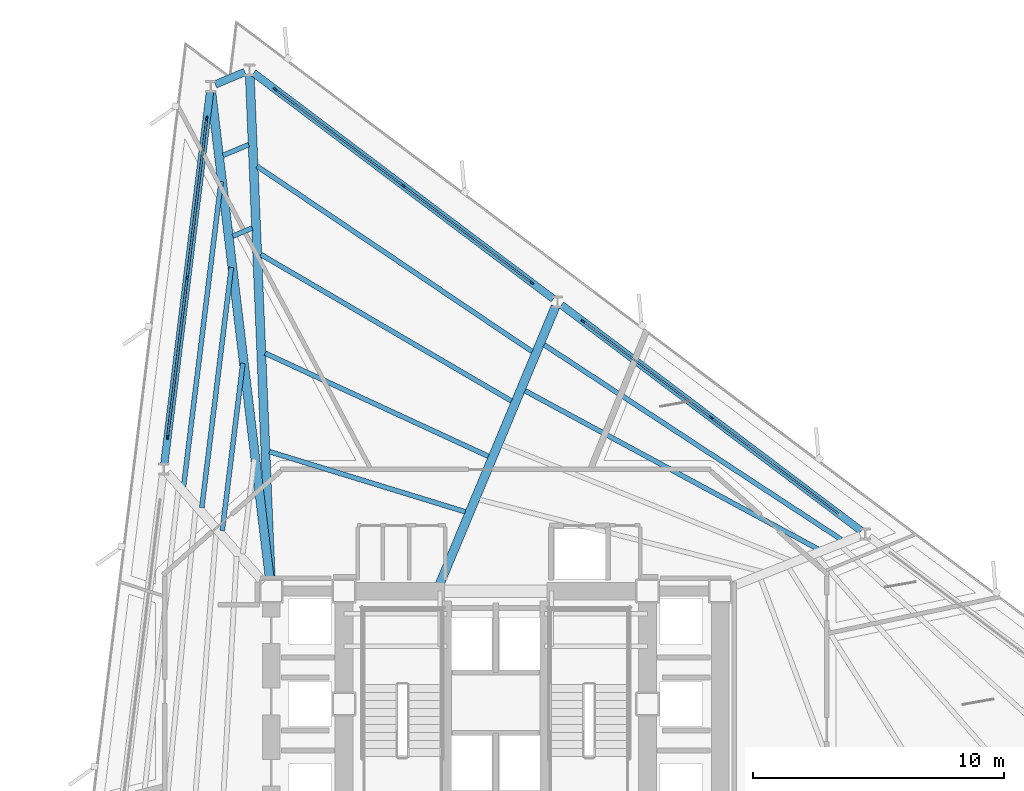
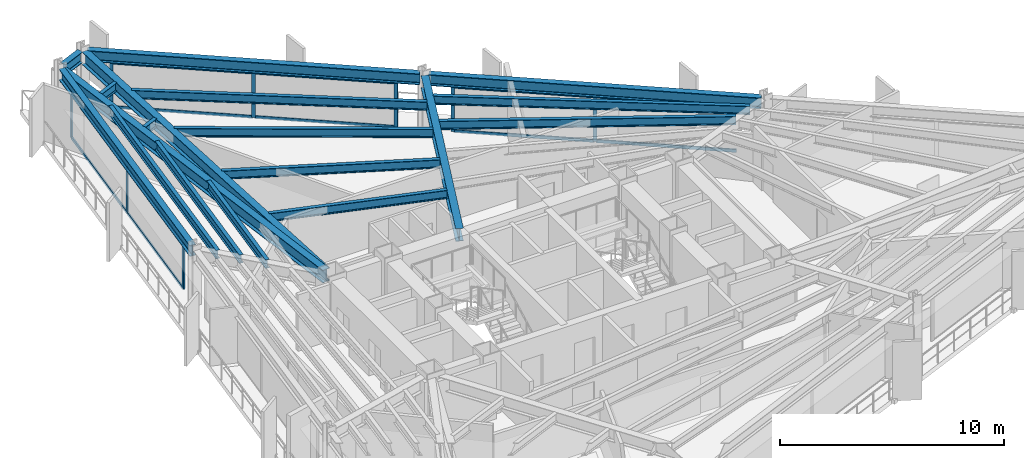
# One storey, part 5 of 13: 20 members, 18 beams, 3 elements without a shape of their own.
"""IFC4 building model written with IfcOpenShell, lengths in metres."""

from ifc_helpers import new_model, si_unit, direction, frame, origin, origin_2d, place, context, subcontext, project, spatial, rectangle, i_section, extrude, material, layer, layer_set, material_profile, profile_set, type_object, element, aggregate, save


model = new_model("IFC4")

# Units and contexts
model_context = context("Model", 3, precision=1e-05, world=origin(), true_north=direction((0.0, 1.0)))
body_context = subcontext(model_context, "Body", "Model", "MODEL_VIEW")
ifc_project = project(units=[si_unit("LENGTHUNIT", "METRE"), si_unit("AREAUNIT", "SQUARE_METRE"), si_unit("VOLUMEUNIT", "CUBIC_METRE"), si_unit("PLANEANGLEUNIT", "RADIAN"), si_unit("MASSUNIT", "GRAM", prefix="KILO")], contexts=[model_context])

# Site, building, storey
site_placement = place(None, origin())
site = spatial("IfcSite", under=ifc_project, at=site_placement, CompositionType="ELEMENT")
building_placement = place(site_placement, origin())
building = spatial("IfcBuilding", under=site, at=building_placement, Name="Rocaltana Carrier Exchange", CompositionType="ELEMENT")
storey_placement = place(building_placement, frame((0.0, 0.0, 52.9599609375)))
storey = spatial("IfcBuildingStorey", under=building, at=storey_placement, Name="L16", CompositionType="ELEMENT", Elevation=52.9599609375)

# Curtain wall, members
ifc_material_1 = material(Name="Aluminium 6063-T6", Category="aluminium")
ifc_layer = layer(ifc_material_1, 0.1650390625)
ifc_layer_set = layer_set([ifc_layer], Name="Aluminium 6063-T6")
curtain_wall_type = type_object("IfcCurtainWallType", Name="Lower-Mid Stepped Curtain Wall CW-02", PredefinedType="NOTDEFINED", material=ifc_layer_set)
curtain_wall_1_placement = place(storey_placement, origin())
curtain_wall_1 = element("IfcCurtainWall", 1, at=curtain_wall_1_placement, inside=storey, type_object=curtain_wall_type, Name="L16 CW-02 Run CW-L16-F1S2", PredefinedType="NOTDEFINED")
ifc_material_2 = material(Name="Aluminium 6063-T6", Category="aluminium")
ifc_material_profile_1 = material_profile(ifc_material_2, rectangle(XDim=0.06494140625, YDim=0.1650390625, at=origin_2d()), Name="AL-65X165")
ifc_profile_set_1 = profile_set([ifc_material_profile_1], Name="Aluminium 6063-T6")
member_type_1 = type_object("IfcMemberType", Name="CW-02 Mullion AL-65X165", PredefinedType="MULLION", material=ifc_profile_set_1)
member_1_placement = place(storey_placement, frame((8.59423828125, 11.405029296875, 0.0), z_axis=(0.0, 0.0, 1.0), x_axis=(-0.601815253533, -0.798635336443, 0.0)))
member_1 = element("IfcMember", 2, at=member_1_placement, type_object=member_type_1, Name="CW-02 mullion 2", PredefinedType="MULLION", context=body_context, shape_type="SweptSolid", body=[
    extrude(rectangle(XDim=0.06494140625, YDim=0.1650390625, at=origin_2d()), origin(), (0.0, 0.0, 1.0), 2.47802734375),
])
member_2_placement = place(storey_placement, frame((3.482421875, 15.257080078125, 0.0), z_axis=(0.0, 0.0, 1.0), x_axis=(-0.601815253533, -0.798635336443, 0.0)))
member_2 = element("IfcMember", 3, at=member_2_placement, type_object=member_type_1, Name="CW-02 mullion 3", PredefinedType="MULLION", context=body_context, shape_type="SweptSolid", body=[
    extrude(rectangle(XDim=0.06494140625, YDim=0.1650390625, at=origin_2d()), origin(), (0.0, 0.0, 1.0), 2.47802734375),
])

curtain_wall_2_placement = place(storey_placement, origin())
curtain_wall_2 = element("IfcCurtainWall", 4, at=curtain_wall_2_placement, inside=storey, type_object=curtain_wall_type, Name="L16 CW-02 Run CW-L16-F1S3", PredefinedType="NOTDEFINED")
member_3_placement = place(storey_placement, frame((1.433837890625, 16.80078125, 0.0), z_axis=(0.0, 0.0, 1.0), x_axis=(-0.601811518049, -0.79863815132, 0.0)))
member_3 = element("IfcMember", 5, at=member_3_placement, type_object=member_type_1, Name="CW-02 mullion 1", PredefinedType="MULLION", context=body_context, shape_type="SweptSolid", body=[
    extrude(rectangle(XDim=0.06494140625, YDim=0.1650390625, at=origin_2d()), origin(), (0.0, 0.0, 1.0), 2.47802734375),
])
member_4_placement = place(storey_placement, frame((-3.677978515625, 20.65283203125, 0.0), z_axis=(0.0, 0.0, 1.0), x_axis=(-0.601811518049, -0.79863815132, 0.0)))
member_4 = element("IfcMember", 6, at=member_4_placement, type_object=member_type_1, Name="CW-02 mullion 2", PredefinedType="MULLION", context=body_context, shape_type="SweptSolid", body=[
    extrude(rectangle(XDim=0.06494140625, YDim=0.1650390625, at=origin_2d()), origin(), (0.0, 0.0, 1.0), 2.47802734375),
])
member_5_placement = place(storey_placement, frame((-8.7900390625, 24.505126953125, 0.0), z_axis=(0.0, 0.0, 1.0), x_axis=(-0.601811518049, -0.79863815132, 0.0)))
member_5 = element("IfcMember", 7, at=member_5_placement, type_object=member_type_1, Name="CW-02 mullion 3", PredefinedType="MULLION", context=body_context, shape_type="SweptSolid", body=[
    extrude(rectangle(XDim=0.06494140625, YDim=0.1650390625, at=origin_2d()), origin(), (0.0, 0.0, 1.0), 2.47802734375),
])

curtain_wall_3_placement = place(storey_placement, origin())
curtain_wall_3 = element("IfcCurtainWall", 8, at=curtain_wall_3_placement, inside=storey, type_object=curtain_wall_type, Name="L16 CW-02 Run CW-L16-F2S1", PredefinedType="NOTDEFINED")
member_6_placement = place(storey_placement, frame((-11.521484375, 23.345703125, 0.0), z_axis=(0.0, 0.0, 1.0), x_axis=(0.992545748051, -0.121872630343, 0.0)))
member_6 = element("IfcMember", 9, at=member_6_placement, type_object=member_type_1, Name="CW-02 mullion 1", PredefinedType="MULLION", context=body_context, shape_type="SweptSolid", body=[
    extrude(rectangle(XDim=0.06494140625, YDim=0.1650390625, at=origin_2d()), origin(), (0.0, 0.0, 1.0), 2.47802734375),
])
member_7_placement = place(storey_placement, frame((-12.301513671875, 16.992431640625, 0.0), z_axis=(0.0, 0.0, 1.0), x_axis=(0.992545748051, -0.121872630343, 0.0)))
member_7 = element("IfcMember", 10, at=member_7_placement, type_object=member_type_1, Name="CW-02 mullion 2", PredefinedType="MULLION", context=body_context, shape_type="SweptSolid", body=[
    extrude(rectangle(XDim=0.06494140625, YDim=0.1650390625, at=origin_2d()), origin(), (0.0, 0.0, 1.0), 2.47802734375),
])
member_8_placement = place(storey_placement, frame((-13.08154296875, 10.639404296875, 0.0), z_axis=(0.0, 0.0, 1.0), x_axis=(0.992545748051, -0.121872630343, 0.0)))
member_8 = element("IfcMember", 11, at=member_8_placement, type_object=member_type_1, Name="CW-02 mullion 3", PredefinedType="MULLION", context=body_context, shape_type="SweptSolid", body=[
    extrude(rectangle(XDim=0.06494140625, YDim=0.1650390625, at=origin_2d()), origin(), (0.0, 0.0, 1.0), 2.47802734375),
])

# Member
ifc_material_3 = material(Name="Aluminium 6063-T6", Category="aluminium")
ifc_material_profile_2 = material_profile(ifc_material_3, rectangle(XDim=0.06494140625, YDim=0.1650390625, at=origin_2d()), Name="AL-65X165")
ifc_profile_set_2 = profile_set([ifc_material_profile_2], Name="Aluminium 6063-T6")
member_type_2 = type_object("IfcMemberType", Name="CW-02 Transom AL-65X165", PredefinedType="USERDEFINED", material=ifc_profile_set_2)
member_9_placement = place(storey_placement, frame((13.68017578125, 7.572509765625, 0.032470703125), z_axis=(-0.798624539829, 0.601829580847, 0.0), x_axis=(-0.601829580847, -0.798624539829, 0.0)))
member_9 = element("IfcMember", 12, at=member_9_placement, type_object=member_type_2, Name="CW-02 transom 1.1", ObjectType="TRANSOM", PredefinedType="USERDEFINED", context=body_context, shape_type="SweptSolid", body=[
    extrude(rectangle(XDim=0.06494140625, YDim=0.1650390625, at=origin_2d()), origin(), (0.0, 0.0, 1.0), 6.335693359375),
])

member_10_placement = place(storey_placement, frame((13.68017578125, 7.572509765625, 2.445556640625), z_axis=(-0.798624539829, 0.601829580847, 0.0), x_axis=(-0.601829580847, -0.798624539829, 0.0)))
member_10 = element("IfcMember", 13, at=member_10_placement, type_object=member_type_2, Name="CW-02 transom 1.2", ObjectType="TRANSOM", PredefinedType="USERDEFINED", context=body_context, shape_type="SweptSolid", body=[
    extrude(rectangle(XDim=0.06494140625, YDim=0.1650390625, at=origin_2d()), origin(), (0.0, 0.0, 1.0), 6.335693359375),
])

member_11_placement = place(storey_placement, frame((8.568359375, 11.424560546875, 0.032470703125), z_axis=(-0.798638496284, 0.601811060261, 0.0), x_axis=(-0.601811060261, -0.798638496284, 0.0)))
member_11 = element("IfcMember", 14, at=member_11_placement, type_object=member_type_2, Name="CW-02 transom 2.1", ObjectType="TRANSOM", PredefinedType="USERDEFINED", context=body_context, shape_type="SweptSolid", body=[
    extrude(rectangle(XDim=0.06494140625, YDim=0.1650390625, at=origin_2d()), origin(), (0.0, 0.0, 1.0), 6.3359375),
])

member_12_placement = place(storey_placement, frame((8.568359375, 11.424560546875, 2.445556640625), z_axis=(-0.798638496284, 0.601811060261, 0.0), x_axis=(-0.601811060261, -0.798638496284, 0.0)))
member_12 = element("IfcMember", 15, at=member_12_placement, type_object=member_type_2, Name="CW-02 transom 2.2", ObjectType="TRANSOM", PredefinedType="USERDEFINED", context=body_context, shape_type="SweptSolid", body=[
    extrude(rectangle(XDim=0.06494140625, YDim=0.1650390625, at=origin_2d()), origin(), (0.0, 0.0, 1.0), 6.3359375),
])

aggregate(curtain_wall_1, [member_1, member_2, member_9, member_10, member_11, member_12])

member_13_placement = place(storey_placement, frame((1.407958984375, 16.8203125, 0.032470703125), z_axis=(-0.798638496284, 0.601811060261, 0.0), x_axis=(-0.601811060261, -0.798638496284, 0.0)))
member_13 = element("IfcMember", 16, at=member_13_placement, type_object=member_type_2, Name="CW-02 transom 1.1", ObjectType="TRANSOM", PredefinedType="USERDEFINED", context=body_context, shape_type="SweptSolid", body=[
    extrude(rectangle(XDim=0.06494140625, YDim=0.1650390625, at=origin_2d()), origin(), (0.0, 0.0, 1.0), 6.3359375),
])

member_14_placement = place(storey_placement, frame((1.407958984375, 16.8203125, 2.445556640625), z_axis=(-0.798638496284, 0.601811060261, 0.0), x_axis=(-0.601811060261, -0.798638496284, 0.0)))
member_14 = element("IfcMember", 17, at=member_14_placement, type_object=member_type_2, Name="CW-02 transom 1.2", ObjectType="TRANSOM", PredefinedType="USERDEFINED", context=body_context, shape_type="SweptSolid", body=[
    extrude(rectangle(XDim=0.06494140625, YDim=0.1650390625, at=origin_2d()), origin(), (0.0, 0.0, 1.0), 6.3359375),
])

member_15_placement = place(storey_placement, frame((-3.703857421875, 20.672607421875, 0.032470703125), z_axis=(-0.798638496284, 0.601811060261, 0.0), x_axis=(-0.601811060261, -0.798638496284, 0.0)))
member_15 = element("IfcMember", 18, at=member_15_placement, type_object=member_type_2, Name="CW-02 transom 2.1", ObjectType="TRANSOM", PredefinedType="USERDEFINED", context=body_context, shape_type="SweptSolid", body=[
    extrude(rectangle(XDim=0.06494140625, YDim=0.1650390625, at=origin_2d()), origin(), (0.0, 0.0, 1.0), 6.3359375),
])

member_16_placement = place(storey_placement, frame((-3.703857421875, 20.672607421875, 2.445556640625), z_axis=(-0.798638496284, 0.601811060261, 0.0), x_axis=(-0.601811060261, -0.798638496284, 0.0)))
member_16 = element("IfcMember", 19, at=member_16_placement, type_object=member_type_2, Name="CW-02 transom 2.2", ObjectType="TRANSOM", PredefinedType="USERDEFINED", context=body_context, shape_type="SweptSolid", body=[
    extrude(rectangle(XDim=0.06494140625, YDim=0.1650390625, at=origin_2d()), origin(), (0.0, 0.0, 1.0), 6.3359375),
])

aggregate(curtain_wall_2, [member_3, member_4, member_5, member_13, member_14, member_15, member_16])

member_17_placement = place(storey_placement, frame((-11.525390625, 23.3134765625, 0.032470703125), z_axis=(-0.12187665048, -0.992545254418, 0.0), x_axis=(0.992545254418, -0.12187665048, 0.0)))
member_17 = element("IfcMember", 20, at=member_17_placement, type_object=member_type_2, Name="CW-02 transom 1.1", ObjectType="TRANSOM", PredefinedType="USERDEFINED", context=body_context, shape_type="SweptSolid", body=[
    extrude(rectangle(XDim=0.06494140625, YDim=0.1650390625, at=origin_2d()), origin(), (0.0, 0.0, 1.0), 6.3359375),
])

member_18_placement = place(storey_placement, frame((-11.525390625, 23.3134765625, 2.445556640625), z_axis=(-0.12187665048, -0.992545254418, 0.0), x_axis=(0.992545254418, -0.12187665048, 0.0)))
member_18 = element("IfcMember", 21, at=member_18_placement, type_object=member_type_2, Name="CW-02 transom 1.2", ObjectType="TRANSOM", PredefinedType="USERDEFINED", context=body_context, shape_type="SweptSolid", body=[
    extrude(rectangle(XDim=0.06494140625, YDim=0.1650390625, at=origin_2d()), origin(), (0.0, 0.0, 1.0), 6.3359375),
])

member_19_placement = place(storey_placement, frame((-12.305419921875, 16.960205078125, 0.032470703125), z_axis=(-0.121881311797, -0.992544682034, 0.0), x_axis=(0.992544682034, -0.121881311797, 0.0)))
member_19 = element("IfcMember", 22, at=member_19_placement, type_object=member_type_2, Name="CW-02 transom 2.1", ObjectType="TRANSOM", PredefinedType="USERDEFINED", context=body_context, shape_type="SweptSolid", body=[
    extrude(rectangle(XDim=0.06494140625, YDim=0.1650390625, at=origin_2d()), origin(), (0.0, 0.0, 1.0), 6.335693359375),
])

member_20_placement = place(storey_placement, frame((-12.305419921875, 16.960205078125, 2.445556640625), z_axis=(-0.121881311797, -0.992544682034, 0.0), x_axis=(0.992544682034, -0.121881311797, 0.0)))
member_20 = element("IfcMember", 23, at=member_20_placement, type_object=member_type_2, Name="CW-02 transom 2.2", ObjectType="TRANSOM", PredefinedType="USERDEFINED", context=body_context, shape_type="SweptSolid", body=[
    extrude(rectangle(XDim=0.06494140625, YDim=0.1650390625, at=origin_2d()), origin(), (0.0, 0.0, 1.0), 6.335693359375),
])

aggregate(curtain_wall_3, [member_6, member_7, member_8, member_17, member_18, member_19, member_20])

# Beams
ifc_material_4 = material(Name="Steel S355", Category="steel")
ifc_material_profile_3 = material_profile(ifc_material_4, i_section(OverallWidth=0.193115234375, OverallDepth=0.466064453125, WebThickness=0.011474609375, FlangeThickness=0.01904296875, FilletRadius=0.013916015625, at=origin_2d()), Name="W18X65")
ifc_profile_set_3 = profile_set([ifc_material_profile_3], Name="Steel S355")
beam_type_1 = type_object("IfcBeamType", Name="Floor Joist W18X65", PredefinedType="JOIST", material=ifc_profile_set_3)
beam_1_placement = place(storey_placement, frame((12.845458984375, 6.17822265625, 2.864990234375), z_axis=(-0.879782188298, 0.475377009493, 0.0), x_axis=(-0.475377009493, -0.879782188298, 0.0)))
element("IfcBeam", 24, at=beam_1_placement, inside=storey, type_object=beam_type_1, Name="FJ-L16-02-3", PredefinedType="JOIST", context=body_context, shape_type="SweptSolid", body=[
    extrude(i_section(OverallWidth=0.193115234375, OverallDepth=0.466064453125, WebThickness=0.011474609375, FlangeThickness=0.01904296875, FilletRadius=0.013916015625, at=origin_2d()), origin(), (0.0, 0.0, 1.0), 13.27490234375),
])
beam_2_placement = place(storey_placement, frame((13.77783203125, 6.5556640625, 2.864990234375), z_axis=(-0.836404193047, 0.548113150593, 0.0), x_axis=(-0.548113150593, -0.836404193047, 0.0)))
element("IfcBeam", 25, at=beam_2_placement, inside=storey, type_object=beam_type_1, Name="FJ-L16-02-4", PredefinedType="JOIST", context=body_context, shape_type="SweptSolid", body=[
    extrude(i_section(OverallWidth=0.193115234375, OverallDepth=0.466064453125, WebThickness=0.011474609375, FlangeThickness=0.01904296875, FilletRadius=0.013916015625, at=origin_2d()), origin(), (0.0, 0.0, 1.0), 14.1669921875),
])
beam_3_placement = place(storey_placement, frame((-1.2158203125, 7.6630859375, 2.864990234375), z_axis=(-0.955945046832, 0.293545682028, 0.0), x_axis=(-0.293545682028, -0.955945046832, 0.0)))
element("IfcBeam", 26, at=beam_3_placement, inside=storey, type_object=beam_type_1, Name="FJ-L16-03-1", PredefinedType="JOIST", context=body_context, shape_type="SweptSolid", body=[
    extrude(i_section(OverallWidth=0.193115234375, OverallDepth=0.466064453125, WebThickness=0.011474609375, FlangeThickness=0.01904296875, FilletRadius=0.013916015625, at=origin_2d()), origin(), (0.0, 0.0, 1.0), 8.1630859375),
])
beam_4_placement = place(storey_placement, frame((-0.2939453125, 9.875244140625, 2.864990234375), z_axis=(-0.907819359588, 0.419361431653, 0.0), x_axis=(-0.419361431653, -0.907819359588, 0.0)))
element("IfcBeam", 27, at=beam_4_placement, inside=storey, type_object=beam_type_1, Name="FJ-L16-03-2", PredefinedType="JOIST", context=body_context, shape_type="SweptSolid", body=[
    extrude(i_section(OverallWidth=0.193115234375, OverallDepth=0.466064453125, WebThickness=0.011474609375, FlangeThickness=0.01904296875, FilletRadius=0.013916015625, at=origin_2d()), origin(), (0.0, 0.0, 1.0), 9.801513671875),
])
beam_5_placement = place(storey_placement, frame((0.627197265625, 12.080322265625, 2.864990234375), z_axis=(-0.863399873856, 0.504520225387, 0.0), x_axis=(-0.504520225387, -0.863399873856, 0.0)))
element("IfcBeam", 28, at=beam_5_placement, inside=storey, type_object=beam_type_1, Name="FJ-L16-03-3", PredefinedType="JOIST", context=body_context, shape_type="SweptSolid", body=[
    extrude(i_section(OverallWidth=0.193115234375, OverallDepth=0.466064453125, WebThickness=0.011474609375, FlangeThickness=0.01904296875, FilletRadius=0.013916015625, at=origin_2d()), origin(), (0.0, 0.0, 1.0), 11.57177734375),
])
beam_6_placement = place(storey_placement, frame((1.450439453125, 14.049560546875, 2.864990234375), z_axis=(-0.829233693301, 0.558902032466, 0.0), x_axis=(-0.558902032466, -0.829233693301, 0.0)))
element("IfcBeam", 29, at=beam_6_placement, inside=storey, type_object=beam_type_1, Name="FJ-L16-03-4", PredefinedType="JOIST", context=body_context, shape_type="SweptSolid", body=[
    extrude(i_section(OverallWidth=0.193115234375, OverallDepth=0.466064453125, WebThickness=0.011474609375, FlangeThickness=0.01904296875, FilletRadius=0.013916015625, at=origin_2d()), origin(), (0.0, 0.0, 1.0), 13.22509765625),
])
beam_7_placement = place(storey_placement, frame((-9.712890625, 18.976806640625, 2.864990234375), z_axis=(-0.92048318346, -0.390782175857, 0.0), x_axis=(0.390782175857, -0.92048318346, 0.0)))
element("IfcBeam", 30, at=beam_7_placement, inside=storey, type_object=beam_type_1, Name="FJ-L16-04-3", PredefinedType="JOIST", context=body_context, shape_type="SweptSolid", body=[
    extrude(i_section(OverallWidth=0.193115234375, OverallDepth=0.466064453125, WebThickness=0.011474609375, FlangeThickness=0.01904296875, FilletRadius=0.013916015625, at=origin_2d()), origin(), (0.0, 0.0, 1.0), 0.83642578125),
])
beam_8_placement = place(storey_placement, frame((-9.85107421875, 22.301025390625, 2.864990234375), z_axis=(-0.920509615817, -0.390719908872, 0.0), x_axis=(0.390719908872, -0.920509615817, 0.0)))
element("IfcBeam", 31, at=beam_8_placement, inside=storey, type_object=beam_type_1, Name="FJ-L16-04-4", PredefinedType="JOIST", context=body_context, shape_type="SweptSolid", body=[
    extrude(i_section(OverallWidth=0.193115234375, OverallDepth=0.466064453125, WebThickness=0.011474609375, FlangeThickness=0.01904296875, FilletRadius=0.013916015625, at=origin_2d()), origin(), (0.0, 0.0, 1.0), 1.10595703125),
])
beam_9_placement = place(storey_placement, frame((-10.081787109375, 13.584228515625, 2.864990234375), z_axis=(-0.121894438401, -0.992543070041, 0.0), x_axis=(0.992543070041, -0.121894438401, 0.0)))
element("IfcBeam", 32, at=beam_9_placement, inside=storey, type_object=beam_type_1, Name="FJ-L16-05-2", PredefinedType="JOIST", context=body_context, shape_type="SweptSolid", body=[
    extrude(i_section(OverallWidth=0.193115234375, OverallDepth=0.466064453125, WebThickness=0.011474609375, FlangeThickness=0.01904296875, FilletRadius=0.013916015625, at=origin_2d()), origin(), (0.0, 0.0, 1.0), 6.7255859375),
])
beam_10_placement = place(storey_placement, frame((-10.540771484375, 17.406982421875, 2.864990234375), z_axis=(-0.121875552726, -0.992545389213, 0.0), x_axis=(0.992545389213, -0.121875552726, 0.0)))
element("IfcBeam", 33, at=beam_10_placement, inside=storey, type_object=beam_type_1, Name="FJ-L16-05-3", PredefinedType="JOIST", context=body_context, shape_type="SweptSolid", body=[
    extrude(i_section(OverallWidth=0.193115234375, OverallDepth=0.466064453125, WebThickness=0.011474609375, FlangeThickness=0.01904296875, FilletRadius=0.013916015625, at=origin_2d()), origin(), (0.0, 0.0, 1.0), 9.6455078125),
])
beam_11_placement = place(storey_placement, frame((-10.951416015625, 20.826904296875, 2.864990234375), z_axis=(-0.121874778131, -0.992545484326, 0.0), x_axis=(0.992545484326, -0.121874778131, 0.0)))
element("IfcBeam", 34, at=beam_11_placement, inside=storey, type_object=beam_type_1, Name="FJ-L16-05-4", PredefinedType="JOIST", context=body_context, shape_type="SweptSolid", body=[
    extrude(i_section(OverallWidth=0.193115234375, OverallDepth=0.466064453125, WebThickness=0.011474609375, FlangeThickness=0.01904296875, FilletRadius=0.013916015625, at=origin_2d()), origin(), (0.0, 0.0, 1.0), 12.257568359375),
])
ifc_material_5 = material(Name="Steel S355", Category="steel")
ifc_material_profile_4 = material_profile(ifc_material_5, i_section(OverallWidth=0.35498046875, OverallDepth=0.695068359375, WebThickness=0.015380859375, FlangeThickness=0.02490234375, FilletRadius=0.01806640625, at=origin_2d()), Name="W27X146")
ifc_profile_set_4 = profile_set([ifc_material_profile_4], Name="Steel S355")
beam_type_2 = type_object("IfcBeamType", Name="Radial Girder W27X146", PredefinedType="BEAM", material=ifc_profile_set_4)
beam_12_placement = place(storey_placement, frame((-2.2568359375, 4.723388671875, 2.75048828125), z_axis=(0.384913271057, 0.922952747308, 0.0), x_axis=(-0.922952747308, 0.384913271057, 0.0)))
element("IfcBeam", 35, at=beam_12_placement, inside=storey, type_object=beam_type_2, Name="RG-L16-03", PredefinedType="BEAM", context=body_context, shape_type="SweptSolid", body=[
    extrude(i_section(OverallWidth=0.35498046875, OverallDepth=0.695068359375, WebThickness=0.015380859375, FlangeThickness=0.02490234375, FilletRadius=0.01806640625, at=origin_2d()), origin(), (0.0, 0.0, 1.0), 12.04541015625),
])
beam_13_placement = place(storey_placement, frame((-8.969482421875, 4.966552734375, 2.75048828125), z_axis=(-0.041551823775, 0.999136350025, 0.0), x_axis=(-0.999136350025, -0.041551823775, 0.0)))
element("IfcBeam", 36, at=beam_13_placement, inside=storey, type_object=beam_type_2, Name="RG-L16-04", PredefinedType="BEAM", context=body_context, shape_type="SweptSolid", body=[
    extrude(i_section(OverallWidth=0.35498046875, OverallDepth=0.695068359375, WebThickness=0.015380859375, FlangeThickness=0.02490234375, FilletRadius=0.01806640625, at=origin_2d()), origin(), (0.0, 0.0, 1.0), 20.123779296875),
])
beam_14_placement = place(storey_placement, frame((-9.005615234375, 4.963623046875, 2.75048828125), z_axis=(-0.119191409492, 0.992871294732, 0.0), x_axis=(-0.992871294732, -0.119191409492, 0.0)))
element("IfcBeam", 37, at=beam_14_placement, inside=storey, type_object=beam_type_2, Name="RG-L16-05", PredefinedType="BEAM", context=body_context, shape_type="SweptSolid", body=[
    extrude(i_section(OverallWidth=0.35498046875, OverallDepth=0.695068359375, WebThickness=0.015380859375, FlangeThickness=0.02490234375, FilletRadius=0.01806640625, at=origin_2d()), origin(), (0.0, 0.0, 1.0), 19.592041015625),
])
ifc_material_6 = material(Name="Steel S355", Category="steel")
ifc_material_profile_5 = material_profile(ifc_material_6, i_section(OverallWidth=0.300048828125, OverallDepth=0.60009765625, WebThickness=0.015380859375, FlangeThickness=0.030029296875, FilletRadius=0.027099609375, at=origin_2d()), Name="HEB600")
ifc_profile_set_5 = profile_set([ifc_material_profile_5], Name="Steel S355")
beam_type_3 = type_object("IfcBeamType", Name="Spandrel Edge Beam HEB600", PredefinedType="SPANDREL", material=ifc_profile_set_5)
for number, where, z_axis, x_axis, name in (
    (38, (14.567626953125, 6.90380859375, 2.798095703125), (-0.798632845578, 0.601818559006, 0.0), (-0.601818559006, -0.798632845578, 0.0), "SP-L16-02"),
    (39, (2.29541015625, 16.15185546875, 2.798095703125), (-0.798646600906, 0.601800304803, 0.0), (-0.601800304803, -0.798646600906, 0.0), "SP-L16-03"),
):
    element("IfcBeam", number, at=place(storey_placement, frame(where, z_axis=z_axis, x_axis=x_axis)), inside=storey, type_object=beam_type_3, Name=name, PredefinedType="SPANDREL", context=body_context, shape_type="SweptSolid", body=[
        extrude(i_section(OverallWidth=0.300048828125, OverallDepth=0.60009765625, WebThickness=0.015380859375, FlangeThickness=0.030029296875, FilletRadius=0.027099609375, at=origin_2d()), origin(), (0.0, 0.0, 1.0), 14.958740234375),
    ])
beam_15_placement = place(storey_placement, frame((-10.001953125, 25.197265625, 2.798095703125), z_axis=(-0.920494280751, -0.390756035276, 0.0), x_axis=(0.390756035276, -0.920494280751, 0.0)))
element("IfcBeam", 40, at=beam_15_placement, inside=storey, type_object=beam_type_3, Name="SP-L16-04", PredefinedType="SPANDREL", context=body_context, shape_type="SweptSolid", body=[
    extrude(i_section(OverallWidth=0.300048828125, OverallDepth=0.60009765625, WebThickness=0.015380859375, FlangeThickness=0.030029296875, FilletRadius=0.027099609375, at=origin_2d()), origin(), (0.0, 0.0, 1.0), 1.277099609375),
])
beam_16_placement = place(storey_placement, frame((-11.39013671875, 24.416015625, 2.798095703125), z_axis=(-0.12185293856, -0.992548165765, 0.0), x_axis=(0.992548165765, -0.12185293856, 0.0)))
element("IfcBeam", 41, at=beam_16_placement, inside=storey, type_object=beam_type_3, Name="SP-L16-05", PredefinedType="SPANDREL", context=body_context, shape_type="SweptSolid", body=[
    extrude(i_section(OverallWidth=0.300048828125, OverallDepth=0.60009765625, WebThickness=0.015380859375, FlangeThickness=0.030029296875, FilletRadius=0.027099609375, at=origin_2d()), origin(), (0.0, 0.0, 1.0), 14.958740234375),
])

save(model, "model.ifc")
